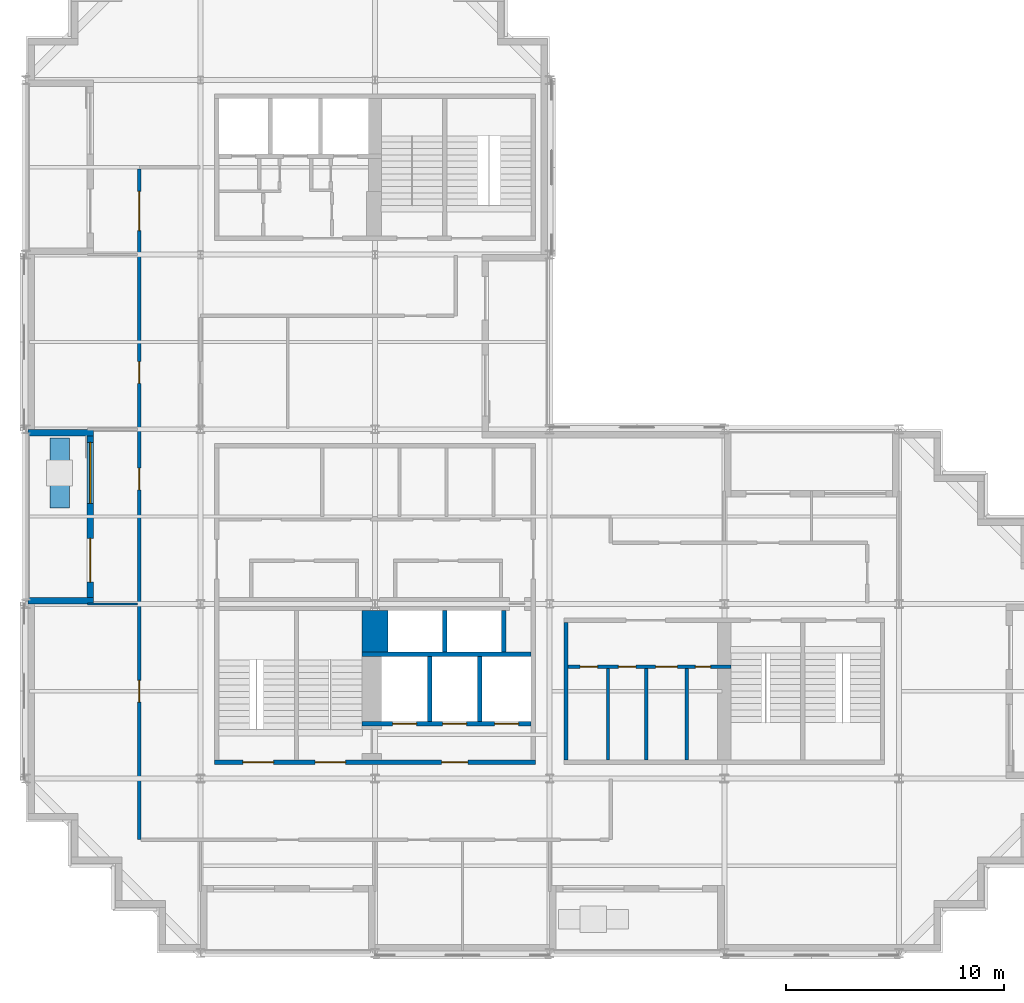
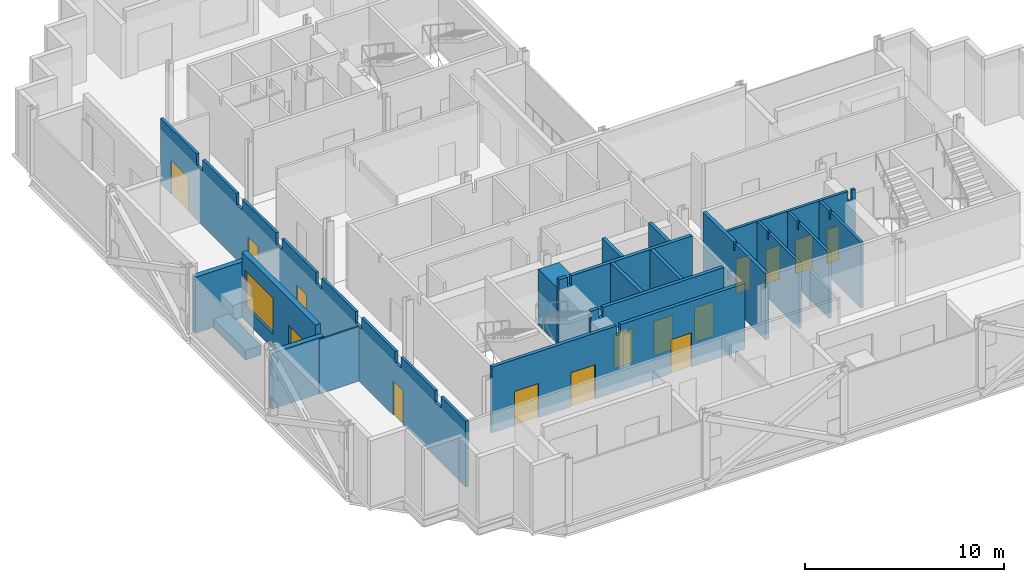
# One storey, part 5 of 11: 19 walls, 15 doors, 1 window, 16 openings.
"""IFC4 building model written with IfcOpenShell, lengths in metres."""

from ifc_helpers import new_model, si_unit, direction, frame, frame_2d, origin, place, context, subcontext, project, spatial, polyline, rectangle, outline, extrude, material, layer, layer_set, type_object, element, fill, save


model = new_model("IFC4")

# Units and contexts
model_context = context("Model", 3, precision=1e-05, world=origin(), true_north=direction((0.0, 1.0)))
body_context = subcontext(model_context, "Body", "Model", "MODEL_VIEW")
ifc_project = project(units=[si_unit("LENGTHUNIT", "METRE"), si_unit("AREAUNIT", "SQUARE_METRE"), si_unit("VOLUMEUNIT", "CUBIC_METRE"), si_unit("PLANEANGLEUNIT", "RADIAN"), si_unit("MASSUNIT", "GRAM", prefix="KILO")], contexts=[model_context])

# Site, building, storey
site_placement = place(None, origin())
site = spatial("IfcSite", under=ifc_project, at=site_placement, CompositionType="ELEMENT")
building_placement = place(site_placement, origin())
building = spatial("IfcBuilding", under=site, at=building_placement, Name="Immortelle Media Tower", CompositionType="ELEMENT")
storey_placement = place(building_placement, frame((0.0, 0.0, 157.800048828125)))
storey = spatial("IfcBuildingStorey", under=building, at=storey_placement, Name="L32", CompositionType="ELEMENT", Elevation=157.800048828125)

# Wall, openings, doors
ifc_material_1 = material(Name="Fire-rated gypsum board", Category="gypsum")
ifc_layer_1 = layer(ifc_material_1, 0.02490234375)
ifc_material_2 = material(Name="Steel ASTM A653 SS Gr 50 stud frame with mineral wool", Category="steel")
ifc_layer_2 = layer(ifc_material_2, 0.10009765625)
ifc_layer_3 = layer(ifc_material_1, 0.02490234375)
ifc_layer_set_1 = layer_set([ifc_layer_1, ifc_layer_2, ifc_layer_3], Name="Steel ASTM A653 SS Gr 50 stud frame with mineral wool")
wall_type_1 = type_object("IfcWallType", Name="Core partition 150", PredefinedType="PARTITIONING", material=ifc_layer_set_1)
wall_1_placement = place(storey_placement, frame((24.85009765625, 13.125, 0.0), z_axis=(0.0, 0.0, 1.0), x_axis=(1.0, 0.0, 0.0)))
wall_1 = element("IfcWall", 1, at=wall_1_placement, inside=storey, type_object=wall_type_1, Name="Core partition SE", PredefinedType="PARTITIONING", context=body_context, shape_type="SweptSolid", body=[
    extrude(outline(polyline([(0.0, 0.0), (7.449951171875, 0.0), (7.449951171875, 4.050048828125), (7.26904296875, 4.050048828125), (7.26806640625, 3.44189453125), (7.031982421875, 3.44189453125), (7.031005859375, 4.050048828125), (0.0, 4.050048828125), (0.0, 0.0)])), frame((0.0, 0.074951171875, 0.0), z_axis=(0.0, -1.0, 0.0), x_axis=(1.0, 0.0, 0.0)), (0.0, 0.0, 1.0), 0.14990234375),
])
opening_1_placement = place(wall_1_placement, frame((1.35009765625, 0.0, 0.0), z_axis=(0.0, 0.0, 1.0), x_axis=(-1.0, 0.0, 0.0)))
opening_1 = element("IfcOpeningElement", 2, at=opening_1_placement, cuts=wall_1, Name="Opening C4-K018", PredefinedType="OPENING", context=body_context, shape_type="SweptSolid", body=[
    extrude(rectangle(XDim=0.800048828125, YDim=2.10009765625, at=frame_2d((0.39990234375, 1.050048828125))), frame((0.0, 0.0849609375, 0.0), z_axis=(0.0, -1.0, 0.0), x_axis=(1.0, 0.0, 0.0)), (0.0, 0.0, 1.0), 0.169921875),
])
opening_2_placement = place(wall_1_placement, frame((3.10009765625, 0.0, 0.0), z_axis=(0.0, 0.0, 1.0), x_axis=(-1.0, 0.0, 0.0)))
opening_2 = element("IfcOpeningElement", 3, at=opening_2_placement, cuts=wall_1, Name="Opening C4-K019", PredefinedType="OPENING", context=body_context, shape_type="SweptSolid", body=[
    extrude(rectangle(XDim=0.800048828125, YDim=2.10009765625, at=frame_2d((0.39990234375, 1.050048828125))), frame((0.0, 0.0849609375, 0.0), z_axis=(0.0, -1.0, 0.0), x_axis=(1.0, 0.0, 0.0)), (0.0, 0.0, 1.0), 0.169921875),
])
opening_3_placement = place(wall_1_placement, frame((5.0, 0.0, 0.0), z_axis=(0.0, 0.0, 1.0), x_axis=(-1.0, 0.0, 0.0)))
opening_3 = element("IfcOpeningElement", 4, at=opening_3_placement, cuts=wall_1, Name="Opening C4-K021", PredefinedType="OPENING", context=body_context, shape_type="SweptSolid", body=[
    extrude(rectangle(XDim=1.0, YDim=2.10009765625, at=frame_2d((0.5, 1.050048828125))), frame((0.0, 0.0849609375, 0.0), z_axis=(0.0, -1.0, 0.0), x_axis=(1.0, 0.0, 0.0)), (0.0, 0.0, 1.0), 0.169921875),
])
opening_4_placement = place(wall_1_placement, frame((6.52490234375, 0.0, 0.0), z_axis=(0.0, 0.0, 1.0), x_axis=(-1.0, 0.0, 0.0)))
opening_4 = element("IfcOpeningElement", 5, at=opening_4_placement, cuts=wall_1, Name="Opening C4-K022", PredefinedType="OPENING", context=body_context, shape_type="SweptSolid", body=[
    extrude(rectangle(XDim=0.699951171875, YDim=2.10009765625, at=frame_2d((0.35009765625, 1.050048828125))), frame((0.0, 0.0849609375, 0.0), z_axis=(0.0, -1.0, 0.0), x_axis=(1.0, 0.0, 0.0)), (0.0, 0.0, 1.0), 0.169921875),
])
ifc_material_3 = material(Name="Timber", Category="wood")
door_type_1 = type_object("IfcDoorType", Name="Accessible toilet door 1000 x 2100", OperationType="NOTDEFINED", PredefinedType="NOTDEFINED", material=ifc_material_3)
door_1_placement = place(opening_3_placement, origin())
door_1 = element("IfcDoor", 6, at=door_1_placement, inside=storey, type_object=door_type_1, Name="Accessible toilet C4-K021", OperationType="SINGLE_SWING_LEFT", OverallHeight=2.10009765625, OverallWidth=1.0, PredefinedType="NOTDEFINED", context=body_context, shape_type="SweptSolid", body=[
    extrude(rectangle(XDim=1.0, YDim=2.10009765625, at=frame_2d((0.5, 1.050048828125))), frame((0.0, 0.02490234375, 0.0), z_axis=(0.0, -1.0, 0.0), x_axis=(1.0, 0.0, 0.0)), (0.0, 0.0, 1.0), 0.050048828125),
])
fill(opening_3, door_1)
ifc_material_4 = material(Name="Galvanised steel door leaf and frame ASTM A653", Category="steel")
door_type_2 = type_object("IfcDoorType", Name="Service door 700 x 2100", OperationType="NOTDEFINED", PredefinedType="NOTDEFINED", material=ifc_material_4)
door_2_placement = place(opening_4_placement, origin())
door_2 = element("IfcDoor", 7, at=door_2_placement, inside=storey, type_object=door_type_2, Name="Service C4-K022", OperationType="SINGLE_SWING_RIGHT", OverallHeight=2.10009765625, OverallWidth=0.699951171875, PredefinedType="NOTDEFINED", context=body_context, shape_type="SweptSolid", body=[
    extrude(rectangle(XDim=0.699951171875, YDim=2.10009765625, at=frame_2d((0.35009765625, 1.050048828125))), frame((0.0, 0.02490234375, 0.0), z_axis=(0.0, -1.0, 0.0), x_axis=(1.0, 0.0, 0.0)), (0.0, 0.0, 1.0), 0.050048828125),
])
fill(opening_4, door_2)
door_type_3 = type_object("IfcDoorType", Name="Toilet door 800 x 2100", OperationType="NOTDEFINED", PredefinedType="NOTDEFINED", material=ifc_material_3)
door_3_placement = place(opening_1_placement, origin())
door_3 = element("IfcDoor", 8, at=door_3_placement, inside=storey, type_object=door_type_3, Name="Toilet C4-K018", OperationType="SINGLE_SWING_LEFT", OverallHeight=2.10009765625, OverallWidth=0.800048828125, PredefinedType="NOTDEFINED", context=body_context, shape_type="SweptSolid", body=[
    extrude(rectangle(XDim=0.800048828125, YDim=2.10009765625, at=frame_2d((0.39990234375, 1.050048828125))), frame((0.0, 0.02490234375, 0.0), z_axis=(0.0, -1.0, 0.0), x_axis=(1.0, 0.0, 0.0)), (0.0, 0.0, 1.0), 0.050048828125),
])
fill(opening_1, door_3)
door_4_placement = place(opening_2_placement, origin())
door_4 = element("IfcDoor", 9, at=door_4_placement, inside=storey, type_object=door_type_3, Name="Toilet C4-K019", OperationType="SINGLE_SWING_RIGHT", OverallHeight=2.10009765625, OverallWidth=0.800048828125, PredefinedType="NOTDEFINED", context=body_context, shape_type="SweptSolid", body=[
    extrude(rectangle(XDim=0.800048828125, YDim=2.10009765625, at=frame_2d((0.39990234375, 1.050048828125))), frame((0.0, 0.02490234375, 0.0), z_axis=(0.0, -1.0, 0.0), x_axis=(1.0, 0.0, 0.0)), (0.0, 0.0, 1.0), 0.050048828125),
])
fill(opening_2, door_4)

# Walls
for number, where, z_axis, x_axis, name in (
    (10, (26.675048828125, 8.85009765625, 0.0), (0.0, 0.0, 1.0), (0.0, 1.0, 0.0), "Core partition SE"),
    (11, (28.425048828125, 8.85009765625, 0.0), (0.0, 0.0, 1.0), (0.0, 1.0, 0.0), "Core partition SE"),
    (12, (30.27490234375, 8.85009765625, 0.0), (0.0, 0.0, 1.0), (0.0, 1.0, 0.0), "Core partition SE"),
):
    element("IfcWall", number, at=place(storey_placement, frame(where, z_axis=z_axis, x_axis=x_axis)), inside=storey, type_object=wall_type_1, Name=name, PredefinedType="PARTITIONING", context=body_context, shape_type="SweptSolid", body=[
        extrude(outline(polyline([(0.0, 0.0), (4.199951171875, 0.0), (4.199951171875, 4.050048828125), (3.2314453125, 4.050048828125), (3.23046875, 3.5888671875), (3.069580078125, 3.5888671875), (3.068603515625, 4.050048828125), (0.0, 4.050048828125), (0.0, 0.0)])), frame((0.0, 0.074951171875, 0.0), z_axis=(0.0, -1.0, 0.0), x_axis=(1.0, 0.0, 0.0)), (0.0, 0.0, 1.0), 0.14990234375),
    ])

# Wall, openings, doors
ifc_layer_4 = layer(ifc_material_1, 0.03759765625)
ifc_layer_5 = layer(ifc_material_2, 0.125)
ifc_layer_6 = layer(ifc_material_1, 0.03759765625)
ifc_layer_set_2 = layer_set([ifc_layer_4, ifc_layer_5, ifc_layer_6], Name="Steel ASTM A653 SS Gr 50 stud frame with mineral wool")
wall_type_2 = type_object("IfcWallType", Name="Core shaft wall 200", PredefinedType="PARTITIONING", material=ifc_layer_set_2)
wall_2_placement = place(storey_placement, frame((15.39990234375, 10.5, 0.0), z_axis=(0.0, 0.0, 1.0), x_axis=(1.0, 0.0, 0.0)))
wall_2 = element("IfcWall", 13, at=wall_2_placement, inside=storey, type_object=wall_type_2, Name="Core shaft wall SW", PredefinedType="PARTITIONING", context=body_context, shape_type="SweptSolid", body=[
    extrude(outline(polyline([(0.0, 0.0), (7.75, 0.0), (7.75, 4.050048828125), (0.718994140625, 4.050048828125), (0.718017578125, 3.44189453125), (0.48193359375, 3.44189453125), (0.48095703125, 4.050048828125), (0.0, 4.050048828125), (0.0, 0.0)])), frame((0.0, 0.10009765625, 0.0), z_axis=(0.0, -1.0, 0.0), x_axis=(1.0, 0.0, 0.0)), (0.0, 0.0, 1.0), 0.199951171875),
])
opening_5_placement = place(wall_2_placement, frame((1.39990234375, 0.0, 0.0)))
opening_5 = element("IfcOpeningElement", 14, at=opening_5_placement, cuts=wall_2, Name="Opening LD", PredefinedType="OPENING", context=body_context, shape_type="SweptSolid", body=[
    extrude(rectangle(XDim=1.10009765625, YDim=2.10009765625, at=frame_2d((0.550048828125, 1.050048828125))), frame((0.0, 0.10986328125, 0.0), z_axis=(0.0, -1.0, 0.0), x_axis=(1.0, 0.0, 0.0)), (0.0, 0.0, 1.0), 0.219970703125),
])
opening_6_placement = place(wall_2_placement, frame((3.699951171875, 0.0, 0.0)))
opening_6 = element("IfcOpeningElement", 15, at=opening_6_placement, cuts=wall_2, Name="Opening LD", PredefinedType="OPENING", context=body_context, shape_type="SweptSolid", body=[
    extrude(rectangle(XDim=1.10009765625, YDim=2.10009765625, at=frame_2d((0.550048828125, 1.050048828125))), frame((0.0, 0.10986328125, 0.0), z_axis=(0.0, -1.0, 0.0), x_axis=(1.0, 0.0, 0.0)), (0.0, 0.0, 1.0), 0.219970703125),
])
opening_7_placement = place(wall_2_placement, frame((6.074951171875, 0.0, 0.0)))
opening_7 = element("IfcOpeningElement", 16, at=opening_7_placement, cuts=wall_2, Name="Opening LD", PredefinedType="OPENING", context=body_context, shape_type="SweptSolid", body=[
    extrude(rectangle(XDim=1.10009765625, YDim=2.10009765625, at=frame_2d((0.550048828125, 1.050048828125))), frame((0.0, 0.10986328125, 0.0), z_axis=(0.0, -1.0, 0.0), x_axis=(1.0, 0.0, 0.0)), (0.0, 0.0, 1.0), 0.219970703125),
])
ifc_material_5 = material(Name="Stainless steel AISI 304", Category="steel")
door_type_4 = type_object("IfcDoorType", Name="Landing door 1100 x 2100", OperationType="SLIDING_TO_LEFT", PredefinedType="NOTDEFINED", material=ifc_material_5)
door_5_placement = place(opening_5_placement, origin())
door_5 = element("IfcDoor", 17, at=door_5_placement, inside=storey, type_object=door_type_4, Name="Landing door FF1 L32", OperationType="SLIDING_TO_LEFT", OverallHeight=2.10009765625, OverallWidth=1.10009765625, PredefinedType="NOTDEFINED", context=body_context, shape_type="SweptSolid", body=[
    extrude(rectangle(XDim=1.10009765625, YDim=2.10009765625, at=frame_2d((0.550048828125, 1.050048828125))), frame((0.0, 0.02490234375, 0.0), z_axis=(0.0, -1.0, 0.0), x_axis=(1.0, 0.0, 0.0)), (0.0, 0.0, 1.0), 0.050048828125),
])
fill(opening_5, door_5)
door_6_placement = place(opening_6_placement, origin())
door_6 = element("IfcDoor", 18, at=door_6_placement, inside=storey, type_object=door_type_4, Name="Landing door FF2 L32", OperationType="SLIDING_TO_LEFT", OverallHeight=2.10009765625, OverallWidth=1.10009765625, PredefinedType="NOTDEFINED", context=body_context, shape_type="SweptSolid", body=[
    extrude(rectangle(XDim=1.10009765625, YDim=2.10009765625, at=frame_2d((0.550048828125, 1.050048828125))), frame((0.0, 0.02490234375, 0.0), z_axis=(0.0, -1.0, 0.0), x_axis=(1.0, 0.0, 0.0)), (0.0, 0.0, 1.0), 0.050048828125),
])
fill(opening_6, door_6)
door_7_placement = place(opening_7_placement, origin())
door_7 = element("IfcDoor", 19, at=door_7_placement, inside=storey, type_object=door_type_4, Name="Landing door FF3 L32", OperationType="SLIDING_TO_LEFT", OverallHeight=2.10009765625, OverallWidth=1.10009765625, PredefinedType="NOTDEFINED", context=body_context, shape_type="SweptSolid", body=[
    extrude(rectangle(XDim=1.10009765625, YDim=2.10009765625, at=frame_2d((0.550048828125, 1.050048828125))), frame((0.0, 0.02490234375, 0.0), z_axis=(0.0, -1.0, 0.0), x_axis=(1.0, 0.0, 0.0)), (0.0, 0.0, 1.0), 0.050048828125),
])
fill(opening_7, door_7)

# Walls
wall_3_placement = place(storey_placement, frame((15.39990234375, 13.699951171875, 0.0), z_axis=(0.0, 0.0, 1.0), x_axis=(1.0, 0.0, 0.0)))
element("IfcWall", 20, at=wall_3_placement, inside=storey, type_object=wall_type_2, Name="Core shaft wall SW", PredefinedType="PARTITIONING", context=body_context, shape_type="SweptSolid", body=[
    extrude(outline(polyline([(0.0, 0.0), (7.75, 0.0), (7.75, 4.050048828125), (0.718994140625, 4.050048828125), (0.718017578125, 3.44189453125), (0.48193359375, 3.44189453125), (0.48095703125, 4.050048828125), (0.0, 4.050048828125), (0.0, 0.0)])), frame((0.0, 0.10009765625, 0.0), z_axis=(0.0, -1.0, 0.0), x_axis=(1.0, 0.0, 0.0)), (0.0, 0.0, 1.0), 0.199951171875),
])
wall_4_placement = place(storey_placement, frame((18.5, 10.60009765625, 0.0), z_axis=(0.0, 0.0, 1.0), x_axis=(0.0, 1.0, 0.0)))
element("IfcWall", 21, at=wall_4_placement, inside=storey, type_object=wall_type_2, Name="Core shaft wall SW", PredefinedType="PARTITIONING", context=body_context, shape_type="SweptSolid", body=[
    extrude(rectangle(XDim=3.0, YDim=0.199951171875, at=frame_2d((1.5, 0.0))), origin(), (0.0, 0.0, 1.0), 4.050048828125),
])
wall_5_placement = place(storey_placement, frame((19.199951171875, 13.800048828125, 0.0), z_axis=(0.0, 0.0, 1.0), x_axis=(0.0, 1.0, 0.0)))
element("IfcWall", 22, at=wall_5_placement, inside=storey, type_object=wall_type_2, Name="Core shaft wall SW", PredefinedType="PARTITIONING", context=body_context, shape_type="SweptSolid", body=[
    extrude(rectangle(XDim=1.89990234375, YDim=0.199951171875, at=frame_2d((0.949951171875, 0.0))), origin(), (0.0, 0.0, 1.0), 4.050048828125),
])
wall_6_placement = place(storey_placement, frame((20.800048828125, 10.60009765625, 0.0), z_axis=(0.0, 0.0, 1.0), x_axis=(0.0, 1.0, 0.0)))
element("IfcWall", 23, at=wall_6_placement, inside=storey, type_object=wall_type_2, Name="Core shaft wall SW", PredefinedType="PARTITIONING", context=body_context, shape_type="SweptSolid", body=[
    extrude(rectangle(XDim=3.0, YDim=0.199951171875, at=frame_2d((1.5, 0.0))), origin(), (0.0, 0.0, 1.0), 4.050048828125),
])
wall_7_placement = place(storey_placement, frame((21.89990234375, 13.800048828125, 0.0), z_axis=(0.0, 0.0, 1.0), x_axis=(0.0, 1.0, 0.0)))
element("IfcWall", 24, at=wall_7_placement, inside=storey, type_object=wall_type_2, Name="Core shaft wall SW", PredefinedType="PARTITIONING", context=body_context, shape_type="SweptSolid", body=[
    extrude(rectangle(XDim=1.89990234375, YDim=0.199951171875, at=frame_2d((0.949951171875, 0.0))), origin(), (0.0, 0.0, 1.0), 4.050048828125),
])
wall_8_placement = place(storey_placement, frame((24.75, 8.85009765625, 0.0), z_axis=(0.0, 0.0, 1.0), x_axis=(0.0, 1.0, 0.0)))
element("IfcWall", 25, at=wall_8_placement, inside=storey, type_object=wall_type_2, Name="Core shaft wall SE", PredefinedType="PARTITIONING", context=body_context, shape_type="SweptSolid", body=[
    extrude(outline(polyline([(0.0, 0.0), (6.2998046875, 0.0), (6.300048828125, 4.050048828125), (3.2314453125, 4.050048828125), (3.23046875, 3.5888671875), (3.069580078125, 3.5888671875), (3.068603515625, 4.050048828125), (0.0, 4.050048828125), (0.0, 0.0)])), frame((0.0, 0.10009765625, 0.0), z_axis=(0.0, -1.0, 0.0), x_axis=(1.0, 0.0, 0.0)), (0.0, 0.0, 1.0), 0.199951171875),
])

# Wall, openings, doors
ifc_layer_7 = layer(ifc_material_1, 0.012451171875)
ifc_layer_8 = layer(ifc_material_2, 0.125)
ifc_layer_9 = layer(ifc_material_1, 0.012451171875)
ifc_layer_set_3 = layer_set([ifc_layer_7, ifc_layer_8, ifc_layer_9], Name="Steel ASTM A653 SS Gr 50 stud frame with mineral wool")
wall_type_3 = type_object("IfcWallType", Name="Corridor wall 150", PredefinedType="PARTITIONING", material=ifc_layer_set_3)
wall_9_placement = place(storey_placement, frame((5.199951171875, 5.199951171875, 0.0), z_axis=(0.0, 0.0, 1.0), x_axis=(0.0, 1.0, 0.0)))
wall_9 = element("IfcWall", 26, at=wall_9_placement, inside=storey, type_object=wall_type_3, Name="Partition L32-006", PredefinedType="PARTITIONING", context=body_context, shape_type="SweptSolid", body=[
    extrude(outline(polyline([(0.0, 0.0), (30.72509765625, 0.0), (30.72509765625, 4.050048828125), (27.10009765625, 4.050048828125), (27.097900390625, 3.35400390625), (26.501953125, 3.35400390625), (26.5, 4.050048828125), (23.10009765625, 4.050048828125), (23.097900390625, 3.35400390625), (22.501953125, 3.35400390625), (22.5, 4.050048828125), (19.10009765625, 4.050048828125), (19.097900390625, 3.35400390625), (18.501953125, 3.35400390625), (18.5, 4.050048828125), (15.10009765625, 4.050048828125), (15.097900390625, 3.35400390625), (14.501953125, 3.35400390625), (14.5, 4.050048828125), (11.10009765625, 4.050048828125), (11.097900390625, 3.35400390625), (10.501953125, 3.35400390625), (10.5, 4.050048828125), (7.10009765625, 4.050048828125), (7.097900390625, 3.35400390625), (6.501953125, 3.35400390625), (6.5, 4.050048828125), (3.10009765625, 4.050048828125), (3.097900390625, 3.35400390625), (2.501953125, 3.35400390625), (2.5, 4.050048828125), (0.0, 4.050048828125), (0.0, 0.0)])), frame((0.0, 0.074951171875, 0.0), z_axis=(0.0, -1.0, 0.0), x_axis=(1.0, 0.0, 0.0)), (0.0, 0.0, 1.0), 0.14990234375),
])
opening_8_placement = place(wall_9_placement, frame((7.300048828125, 0.0, 0.0), z_axis=(0.0, 0.0, 1.0), x_axis=(-1.0, 0.0, 0.0)))
opening_8 = element("IfcOpeningElement", 27, at=opening_8_placement, cuts=wall_9, Name="Opening C4-F005", PredefinedType="OPENING", context=body_context, shape_type="SweptSolid", body=[
    extrude(rectangle(XDim=1.0, YDim=2.10009765625, at=frame_2d((0.5, 1.050048828125))), frame((0.0, 0.0849609375, 0.0), z_axis=(0.0, -1.0, 0.0), x_axis=(1.0, 0.0, 0.0)), (0.0, 0.0, 1.0), 0.169921875),
])
opening_9_placement = place(wall_9_placement, frame((16.02490234375, 0.0, 0.0)))
opening_9 = element("IfcOpeningElement", 28, at=opening_9_placement, cuts=wall_9, Name="Opening C4-F008", PredefinedType="OPENING", context=body_context, shape_type="SweptSolid", body=[
    extrude(rectangle(XDim=1.0, YDim=2.10009765625, at=frame_2d((0.5, 1.050048828125))), frame((0.0, 0.0849609375, 0.0), z_axis=(0.0, -1.0, 0.0), x_axis=(1.0, 0.0, 0.0)), (0.0, 0.0, 1.0), 0.169921875),
])
opening_10_placement = place(wall_9_placement, frame((20.89990234375, 0.0, 0.0)))
opening_10 = element("IfcOpeningElement", 29, at=opening_10_placement, cuts=wall_9, Name="Opening C4-F012", PredefinedType="OPENING", context=body_context, shape_type="SweptSolid", body=[
    extrude(rectangle(XDim=1.0, YDim=2.10009765625, at=frame_2d((0.5, 1.050048828125))), frame((0.0, 0.0849609375, 0.0), z_axis=(0.0, -1.0, 0.0), x_axis=(1.0, 0.0, 0.0)), (0.0, 0.0, 1.0), 0.169921875),
])
opening_11_placement = place(wall_9_placement, frame((27.89990234375, 0.0, 0.0)))
opening_11 = element("IfcOpeningElement", 30, at=opening_11_placement, cuts=wall_9, Name="Opening C4-F013", PredefinedType="OPENING", context=body_context, shape_type="SweptSolid", body=[
    extrude(rectangle(XDim=1.800048828125, YDim=2.10009765625, at=frame_2d((0.89990234375, 1.050048828125))), frame((0.0, 0.0849609375, 0.0), z_axis=(0.0, -1.0, 0.0), x_axis=(1.0, 0.0, 0.0)), (0.0, 0.0, 1.0), 0.169921875),
])
ifc_material_6 = material(Name="Timber veneered door leaf, galvanised steel frame ASTM A653", Category="steel")
door_type_5 = type_object("IfcDoorType", Name="Room door 1000 x 2100", OperationType="NOTDEFINED", PredefinedType="DOOR", material=ifc_material_6)
door_8_placement = place(opening_8_placement, origin())
door_8 = element("IfcDoor", 31, at=door_8_placement, inside=storey, type_object=door_type_5, Name="Door C4-F005", OperationType="SINGLE_SWING_RIGHT", OverallHeight=2.10009765625, OverallWidth=1.0, PredefinedType="DOOR", context=body_context, shape_type="SweptSolid", body=[
    extrude(rectangle(XDim=1.0, YDim=2.10009765625, at=frame_2d((0.5, 1.050048828125))), frame((0.0, 0.02490234375, 0.0), z_axis=(0.0, -1.0, 0.0), x_axis=(1.0, 0.0, 0.0)), (0.0, 0.0, 1.0), 0.050048828125),
])
fill(opening_8, door_8)
door_9_placement = place(opening_9_placement, origin())
door_9 = element("IfcDoor", 32, at=door_9_placement, inside=storey, type_object=door_type_5, Name="Door C4-F008", OperationType="SINGLE_SWING_RIGHT", OverallHeight=2.10009765625, OverallWidth=1.0, PredefinedType="DOOR", context=body_context, shape_type="SweptSolid", body=[
    extrude(rectangle(XDim=1.0, YDim=2.10009765625, at=frame_2d((0.5, 1.050048828125))), frame((0.0, 0.02490234375, 0.0), z_axis=(0.0, -1.0, 0.0), x_axis=(1.0, 0.0, 0.0)), (0.0, 0.0, 1.0), 0.050048828125),
])
fill(opening_9, door_9)
door_10_placement = place(opening_10_placement, origin())
door_10 = element("IfcDoor", 33, at=door_10_placement, inside=storey, type_object=door_type_5, Name="Door C4-F012", OperationType="SINGLE_SWING_LEFT", OverallHeight=2.10009765625, OverallWidth=1.0, PredefinedType="DOOR", context=body_context, shape_type="SweptSolid", body=[
    extrude(rectangle(XDim=1.0, YDim=2.10009765625, at=frame_2d((0.5, 1.050048828125))), frame((0.0, 0.02490234375, 0.0), z_axis=(0.0, -1.0, 0.0), x_axis=(1.0, 0.0, 0.0)), (0.0, 0.0, 1.0), 0.050048828125),
])
fill(opening_10, door_10)
door_type_6 = type_object("IfcDoorType", Name="Room door 1800 x 2100", OperationType="DOUBLE_DOOR_SINGLE_SWING", PredefinedType="DOOR", material=ifc_material_6)
door_11_placement = place(opening_11_placement, origin())
door_11 = element("IfcDoor", 34, at=door_11_placement, inside=storey, type_object=door_type_6, Name="Door C4-F013", OperationType="DOUBLE_DOOR_SINGLE_SWING", OverallHeight=2.10009765625, OverallWidth=1.800048828125, PredefinedType="DOOR", context=body_context, shape_type="SweptSolid", body=[
    extrude(rectangle(XDim=1.800048828125, YDim=2.10009765625, at=frame_2d((0.89990234375, 1.050048828125))), frame((0.0, 0.02490234375, 0.0), z_axis=(0.0, -1.0, 0.0), x_axis=(1.0, 0.0, 0.0)), (0.0, 0.0, 1.0), 0.050048828125),
])
fill(opening_11, door_11)

# Wall, openings, door, window
ifc_material_7 = material(Name="Pale aluminium cladding panel", Category="aluminium")
ifc_layer_10 = layer(ifc_material_7, 0.030029296875)
ifc_layer_11 = layer(ifc_material_2, 0.257568359375)
ifc_material_8 = material(Name="Moisture-resistant gypsum board", Category="gypsum")
ifc_layer_12 = layer(ifc_material_8, 0.012451171875)
ifc_layer_set_4 = layer_set([ifc_layer_10, ifc_layer_11, ifc_layer_12], Name="Steel ASTM A653 SS Gr 50 stud frame with mineral wool")
wall_type_4 = type_object("IfcWallType", Name="Facade wall 300", PredefinedType="SOLIDWALL", material=ifc_layer_set_4)
wall_10_placement = place(storey_placement, frame((2.949951171875, 23.699951171875, 0.0), z_axis=(0.0, 0.0, 1.0), x_axis=(0.0, -1.0, 0.0)))
wall_10 = element("IfcWall", 35, at=wall_10_placement, inside=storey, type_object=wall_type_4, Name="Loggia wall L32 W35", PredefinedType="SOLIDWALL", context=body_context, shape_type="SweptSolid", body=[
    extrude(rectangle(XDim=7.39990234375, YDim=0.300048828125, at=frame_2d((3.699951171875, 0.0))), origin(), (0.0, 0.0, 1.0), 4.050048828125),
])
opening_12_placement = place(wall_10_placement, frame((0.300048828125, 0.0, 0.89990234375)))
opening_12 = element("IfcOpeningElement", 36, at=opening_12_placement, cuts=wall_10, Name="Opening W1", PredefinedType="OPENING", context=body_context, shape_type="SweptSolid", body=[
    extrude(rectangle(XDim=2.800048828125, YDim=2.199951171875, at=frame_2d((1.39990234375, 1.10009765625))), frame((0.0, 0.159912109375, 0.0), z_axis=(0.0, -1.0, 0.0), x_axis=(1.0, 0.0, 0.0)), (0.0, 0.0, 1.0), 0.320068359375),
])
opening_13_placement = place(wall_10_placement, frame((4.699951171875, 0.0, 0.0)))
opening_13 = element("IfcOpeningElement", 37, at=opening_13_placement, cuts=wall_10, Name="Opening C4-E008", PredefinedType="OPENING", context=body_context, shape_type="SweptSolid", body=[
    extrude(rectangle(XDim=2.0, YDim=2.39990234375, at=frame_2d((1.0, 1.199951171875))), frame((0.0, 0.159912109375, 0.0), z_axis=(0.0, -1.0, 0.0), x_axis=(1.0, 0.0, 0.0)), (0.0, 0.0, 1.0), 0.320068359375),
])
ifc_material_9 = material(Name="Aluminium frame, glazed leaves", Category="aluminium")
door_type_7 = type_object("IfcDoorType", Name="Loggia door 2000 x 2400", OperationType="DOUBLE_DOOR_SINGLE_SWING", PredefinedType="DOOR", material=ifc_material_9)
door_12_placement = place(opening_13_placement, origin())
door_12 = element("IfcDoor", 38, at=door_12_placement, inside=storey, type_object=door_type_7, Name="Door C4-E008", OperationType="DOUBLE_DOOR_SINGLE_SWING", OverallHeight=2.39990234375, OverallWidth=2.0, PredefinedType="DOOR", context=body_context, shape_type="SweptSolid", body=[
    extrude(rectangle(XDim=2.0, YDim=2.39990234375, at=frame_2d((1.0, 1.199951171875))), frame((0.0, 0.02490234375, 0.0), z_axis=(0.0, -1.0, 0.0), x_axis=(1.0, 0.0, 0.0)), (0.0, 0.0, 1.0), 0.050048828125),
])
fill(opening_13, door_12)
ifc_material_10 = material(Name="Aluminium frame", Category="aluminium")
window_type = type_object("IfcWindowType", Name="Window 2800 x 2200", PartitioningType="SINGLE_PANEL", PredefinedType="WINDOW", material=ifc_material_10)
window_placement = place(opening_12_placement, origin())
window = element("IfcWindow", 39, at=window_placement, inside=storey, type_object=window_type, Name="Window L32 L32-R35-B2", OverallHeight=2.199951171875, OverallWidth=2.800048828125, PartitioningType="SINGLE_PANEL", PredefinedType="WINDOW", context=body_context, shape_type="SweptSolid", body=[
    extrude(rectangle(XDim=2.800048828125, YDim=2.199951171875, at=frame_2d((1.39990234375, 1.10009765625))), frame((0.0, 0.030029296875, 0.0), z_axis=(0.0, -1.0, 0.0), x_axis=(1.0, 0.0, 0.0)), (0.0, 0.0, 1.0), 0.06005859375),
])
fill(opening_12, window)

# Walls
for number, where, z_axis, x_axis, name in (
    (40, (0.10009765625, 23.85009765625, 0.0), (0.0, 0.0, 1.0), (1.0, 0.0, 0.0), "Loggia cheek wall L32 W"),
    (41, (0.10009765625, 16.14990234375, 0.0), (0.0, 0.0, 1.0), (1.0, 0.0, 0.0), "Loggia cheek wall L32 W"),
):
    element("IfcWall", number, at=place(storey_placement, frame(where, z_axis=z_axis, x_axis=x_axis)), inside=storey, type_object=wall_type_4, Name=name, PredefinedType="SOLIDWALL", context=body_context, shape_type="SweptSolid", body=[
        extrude(rectangle(XDim=3.0, YDim=0.300048828125, at=frame_2d((1.5, 0.0))), origin(), (0.0, 0.0, 1.0), 3.43701171875),
    ])
ifc_material_11 = material(Name="Gypsum board", Category="gypsum")
ifc_layer_13 = layer(ifc_material_11, 0.012451171875)
ifc_layer_14 = layer(ifc_material_2, 0.074951171875)
ifc_layer_15 = layer(ifc_material_11, 0.012451171875)
ifc_layer_set_5 = layer_set([ifc_layer_13, ifc_layer_14, ifc_layer_15], Name="Steel ASTM A653 SS Gr 50 stud frame with mineral wool")
wall_type_5 = type_object("IfcWallType", Name="Partition 100", PredefinedType="PARTITIONING", material=ifc_layer_set_5)
wall_11_placement = place(storey_placement, frame((2.830078125, 16.0, 0.0), z_axis=(0.0, 0.0, 1.0), x_axis=(1.0, 0.0, 0.0)))
element("IfcWall", 42, at=wall_11_placement, inside=storey, type_object=wall_type_5, Name="Partition L32-008", PredefinedType="PARTITIONING", context=body_context, shape_type="SweptSolid", body=[
    extrude(rectangle(XDim=2.294921875, YDim=0.10009765625, at=frame_2d((1.1474609375, 0.0))), origin(), (0.0, 0.0, 1.0), 3.35400390625),
])
ifc_layer_16 = layer(ifc_material_7, 0.0029296875)
ifc_material_12 = material(Name="Steel ASTM A572 Gr 50 planter shell", Category="steel")
ifc_layer_17 = layer(ifc_material_12, 0.011962890625)
ifc_material_13 = material(Name="Planting substrate", Category="soil")
ifc_layer_18 = layer(ifc_material_13, 0.873046875)
ifc_layer_19 = layer(ifc_material_12, 0.011962890625)
ifc_layer_set_6 = layer_set([ifc_layer_16, ifc_layer_17, ifc_layer_18, ifc_layer_19], Name="Steel ASTM A572 Gr 50 planter shell")
wall_type_6 = type_object("IfcWallType", Name="Planter wall 900", PredefinedType="SOLIDWALL", material=ifc_layer_set_6)
wall_12_placement = place(storey_placement, frame((1.550048828125, 23.60009765625, 0.0), z_axis=(0.0, 0.0, 1.0), x_axis=(0.0, -1.0, 0.0)))
element("IfcWall", 43, at=wall_12_placement, inside=storey, type_object=wall_type_6, Name="Planter L32 W2", PredefinedType="SOLIDWALL", context=body_context, shape_type="SweptSolid", body=[
    extrude(rectangle(XDim=3.2001953125, YDim=0.89990234375, at=frame_2d((1.60009765625, 0.0))), origin(), (0.0, 0.0, 1.0), 0.599853515625),
])
ifc_material_14 = material(Name="Concrete C60", Category="concrete")
ifc_layer_20 = layer(ifc_material_14, 1.199951171875)
ifc_layer_set_7 = layer_set([ifc_layer_20], Name="Concrete C60")
wall_type_7 = type_object("IfcWallType", Name="Stair shaft wall 1200", PredefinedType="PARTITIONING", material=ifc_layer_set_7)
wall_13_placement = place(storey_placement, frame((16.0, 13.800048828125, 0.0), z_axis=(0.0, 0.0, 1.0), x_axis=(0.0, 1.0, 0.0)))
element("IfcWall", 44, at=wall_13_placement, inside=storey, type_object=wall_type_7, Name="Stair shaft wall SW", PredefinedType="PARTITIONING", context=body_context, shape_type="SweptSolid", body=[
    extrude(rectangle(XDim=1.89990234375, YDim=1.199951171875, at=frame_2d((0.949951171875, 0.0))), origin(), (0.0, 0.0, 1.0), 3.44189453125),
])

# Wall, openings, doors
ifc_layer_21 = layer(ifc_material_14, 0.199951171875)
ifc_layer_set_8 = layer_set([ifc_layer_21], Name="Concrete C60")
wall_type_8 = type_object("IfcWallType", Name="Stair shaft wall 200", PredefinedType="PARTITIONING", material=ifc_layer_set_8)
wall_14_placement = place(storey_placement, frame((8.64990234375, 8.75, 0.0), z_axis=(0.0, 0.0, 1.0), x_axis=(1.0, 0.0, 0.0)))
wall_14 = element("IfcWall", 45, at=wall_14_placement, inside=storey, type_object=wall_type_8, Name="Stair shaft wall SW", PredefinedType="PARTITIONING", context=body_context, shape_type="SweptSolid", body=[
    extrude(outline(polyline([(0.0, 0.0), (14.7001953125, 0.0), (14.699951171875, 4.050048828125), (7.468994140625, 4.050048828125), (7.468017578125, 3.44189453125), (7.23193359375, 3.44189453125), (7.23095703125, 4.050048828125), (0.0, 4.050048828125), (0.0, 0.0)])), frame((0.0, 0.10009765625, 0.0), z_axis=(0.0, -1.0, 0.0), x_axis=(1.0, 0.0, 0.0)), (0.0, 0.0, 1.0), 0.199951171875),
])
opening_14_placement = place(wall_14_placement, frame((1.300048828125, 0.0, 0.0)))
opening_14 = element("IfcOpeningElement", 46, at=opening_14_placement, cuts=wall_14, Name="Opening C4-K002", PredefinedType="OPENING", context=body_context, shape_type="SweptSolid", body=[
    extrude(rectangle(XDim=1.39990234375, YDim=2.10009765625, at=frame_2d((0.699951171875, 1.050048828125))), frame((0.0, 0.10986328125, 0.0), z_axis=(0.0, -1.0, 0.0), x_axis=(1.0, 0.0, 0.0)), (0.0, 0.0, 1.0), 0.219970703125),
])
opening_15_placement = place(wall_14_placement, frame((4.60009765625, 0.0, 0.0)))
opening_15 = element("IfcOpeningElement", 47, at=opening_15_placement, cuts=wall_14, Name="Opening C4-K005", PredefinedType="OPENING", context=body_context, shape_type="SweptSolid", body=[
    extrude(rectangle(XDim=1.39990234375, YDim=2.10009765625, at=frame_2d((0.699951171875, 1.050048828125))), frame((0.0, 0.10986328125, 0.0), z_axis=(0.0, -1.0, 0.0), x_axis=(1.0, 0.0, 0.0)), (0.0, 0.0, 1.0), 0.219970703125),
])
opening_16_placement = place(wall_14_placement, frame((10.39990234375, 0.0, 0.0)))
opening_16 = element("IfcOpeningElement", 48, at=opening_16_placement, cuts=wall_14, Name="Opening C4-K011", PredefinedType="OPENING", context=body_context, shape_type="SweptSolid", body=[
    extrude(rectangle(XDim=1.199951171875, YDim=2.10009765625, at=frame_2d((0.60009765625, 1.050048828125))), frame((0.0, 0.10986328125, 0.0), z_axis=(0.0, -1.0, 0.0), x_axis=(1.0, 0.0, 0.0)), (0.0, 0.0, 1.0), 0.219970703125),
])
door_type_8 = type_object("IfcDoorType", Name="Fire-fighting lobby door 1200 x 2100", OperationType="NOTDEFINED", PredefinedType="NOTDEFINED", material=ifc_material_4)
door_13_placement = place(opening_16_placement, origin())
door_13 = element("IfcDoor", 49, at=door_13_placement, inside=storey, type_object=door_type_8, Name="Fire-fighting lobby C4-K011", OperationType="SINGLE_SWING_RIGHT", OverallHeight=2.10009765625, OverallWidth=1.199951171875, PredefinedType="NOTDEFINED", context=body_context, shape_type="SweptSolid", body=[
    extrude(rectangle(XDim=1.199951171875, YDim=2.10009765625, at=frame_2d((0.60009765625, 1.050048828125))), frame((0.0, 0.02490234375, 0.0), z_axis=(0.0, -1.0, 0.0), x_axis=(1.0, 0.0, 0.0)), (0.0, 0.0, 1.0), 0.050048828125),
])
fill(opening_16, door_13)
door_type_9 = type_object("IfcDoorType", Name="Stair door 1400 x 2100", OperationType="DOUBLE_DOOR_SINGLE_SWING", PredefinedType="NOTDEFINED", material=ifc_material_4)
door_14_placement = place(opening_14_placement, origin())
door_14 = element("IfcDoor", 50, at=door_14_placement, inside=storey, type_object=door_type_9, Name="Stair C4-K002", OperationType="DOUBLE_DOOR_SINGLE_SWING", OverallHeight=2.10009765625, OverallWidth=1.39990234375, PredefinedType="NOTDEFINED", context=body_context, shape_type="SweptSolid", body=[
    extrude(rectangle(XDim=1.39990234375, YDim=2.10009765625, at=frame_2d((0.699951171875, 1.050048828125))), frame((0.0, 0.02490234375, 0.0), z_axis=(0.0, -1.0, 0.0), x_axis=(1.0, 0.0, 0.0)), (0.0, 0.0, 1.0), 0.050048828125),
])
fill(opening_14, door_14)
door_15_placement = place(opening_15_placement, origin())
door_15 = element("IfcDoor", 51, at=door_15_placement, inside=storey, type_object=door_type_9, Name="Stair C4-K005", OperationType="DOUBLE_DOOR_SINGLE_SWING", OverallHeight=2.10009765625, OverallWidth=1.39990234375, PredefinedType="NOTDEFINED", context=body_context, shape_type="SweptSolid", body=[
    extrude(rectangle(XDim=1.39990234375, YDim=2.10009765625, at=frame_2d((0.699951171875, 1.050048828125))), frame((0.0, 0.02490234375, 0.0), z_axis=(0.0, -1.0, 0.0), x_axis=(1.0, 0.0, 0.0)), (0.0, 0.0, 1.0), 0.050048828125),
])
fill(opening_15, door_15)

save(model, "model.ifc")
